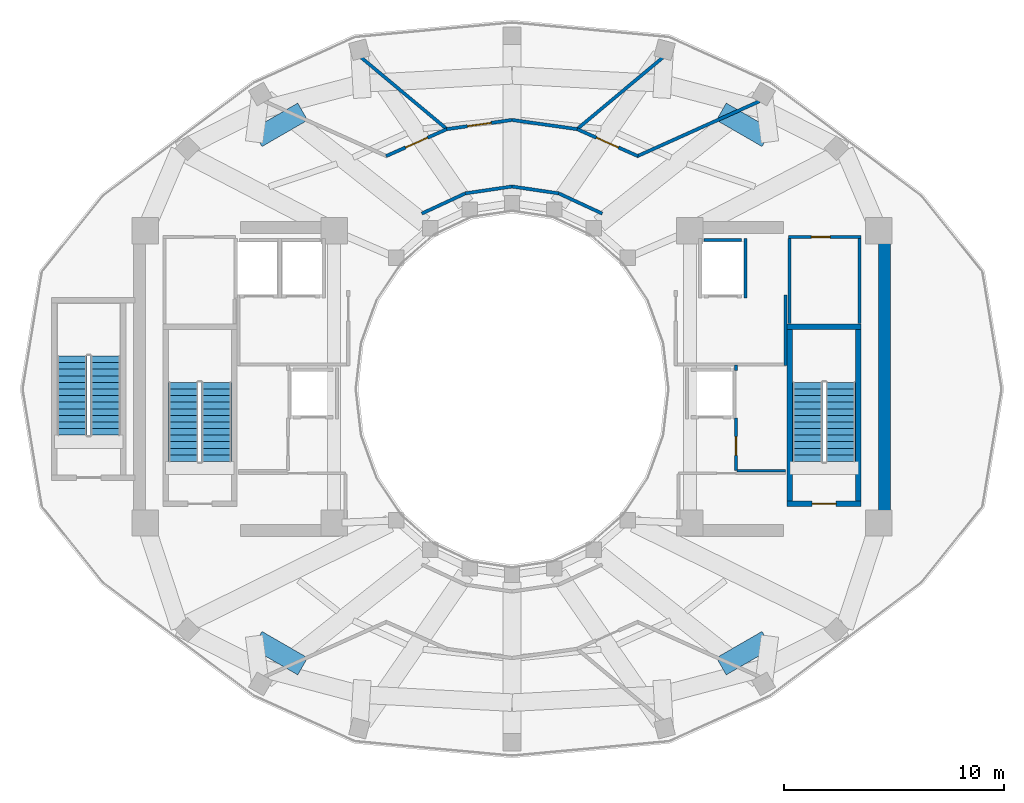
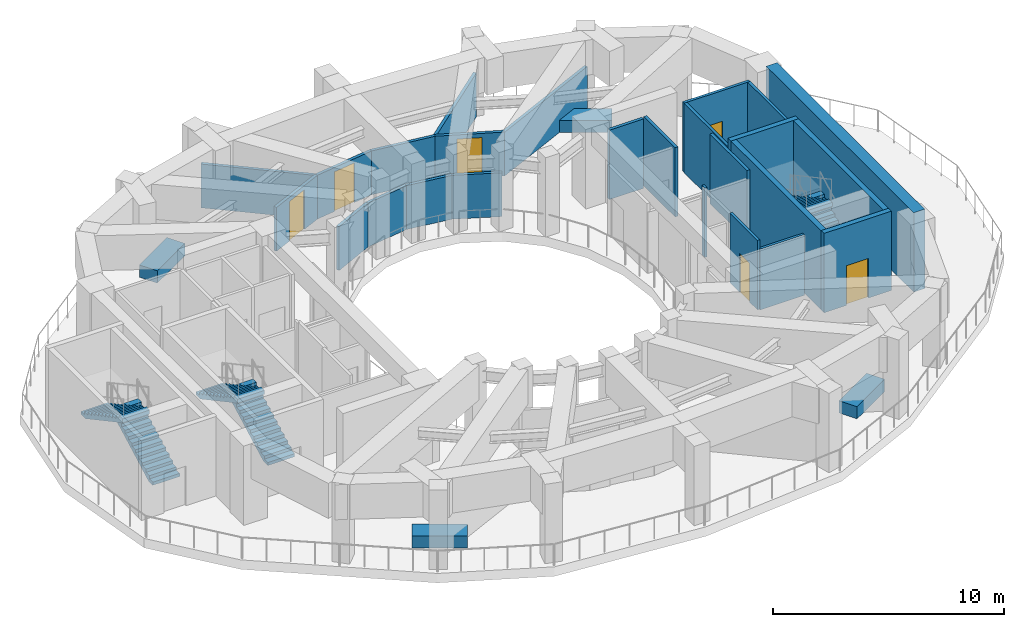
# One storey, part 4 of 9: 25 walls, 6 doors, 6 stair flights, 4 discrete accessories, 6 openings, 3 elements without a shape of their own.
"""IFC4 building model written with IfcOpenShell, lengths in metres."""

from ifc_helpers import new_model, si_unit, direction, frame, frame_2d, origin, origin_2d, place, context, subcontext, project, spatial, polyline, rectangle, outline, extrude, material, layer, layer_set, type_object, element, fill, aggregate, save


model = new_model("IFC4")

# Units and contexts
model_context = context("Model", 3, precision=1e-05, world=origin(), true_north=direction((0.0, 1.0)))
body_context = subcontext(model_context, "Body", "Model", "MODEL_VIEW")
ifc_project = project(units=[si_unit("LENGTHUNIT", "METRE"), si_unit("AREAUNIT", "SQUARE_METRE"), si_unit("VOLUMEUNIT", "CUBIC_METRE"), si_unit("PLANEANGLEUNIT", "RADIAN"), si_unit("MASSUNIT", "GRAM", prefix="KILO")], contexts=[model_context])

# Site, building, storey
site_placement = place(None, origin())
site = spatial("IfcSite", under=ifc_project, at=site_placement, CompositionType="ELEMENT")
building_placement = place(site_placement, origin())
building = spatial("IfcBuilding", under=site, at=building_placement, Name="Solvane Sanctuary Tower", CompositionType="ELEMENT")
storey_placement = place(building_placement, frame((0.0, 0.0, 197.39990234375)))
storey = spatial("IfcBuildingStorey", under=building, at=storey_placement, Name="L60", CompositionType="ELEMENT", Elevation=197.39990234375)

# Walls
ifc_material_1 = material(Name="Concrete C50/60", Category="concrete")
ifc_layer_1 = layer(ifc_material_1, 0.550048828125, Name="Concrete C50/60")
ifc_layer_set_1 = layer_set([ifc_layer_1], Name="Concrete C50/60")
wall_type_1 = type_object("IfcWallType", Name="Wall W-CORE-550", PredefinedType="SHEAR", material=ifc_layer_set_1)
wall_1_placement = place(storey_placement, frame((48.949951171875, 17.050048828125, 0.0), z_axis=(0.0, 0.0, 1.0), x_axis=(0.0, 1.0, 0.0)))
element("IfcWall", 1, at=wall_1_placement, inside=storey, type_object=wall_type_1, Name="L60 Core Shear Wall EC-E", PredefinedType="SHEAR", context=body_context, shape_type="SweptSolid", body=[
    extrude(rectangle(XDim=12.800048828125, YDim=0.550048828125, at=frame_2d((6.39990234375, 0.0))), origin(), (0.0, 0.0, 1.0), 4.2001953125),
])
ifc_material_2 = material(Name="Acoustic Gypsum Partition Board")
ifc_layer_2 = layer(ifc_material_2, 0.14990234375, Name="Acoustic Gypsum Partition Board")
ifc_layer_set_2 = layer_set([ifc_layer_2], Name="Acoustic Gypsum Partition Board")
wall_type_2 = type_object("IfcWallType", Name="Wall W-CORR-150", PredefinedType="PARTITIONING", material=ifc_layer_set_2)
wall_2_placement = place(storey_placement, frame((44.449951171875, 24.080078125, 0.0), z_axis=(0.0, 0.0, 1.0), x_axis=(0.0, 1.0, 0.0)))
element("IfcWall", 2, at=wall_2_placement, inside=storey, type_object=wall_type_2, Name="L60 East Firefighting Lobby East Wall", PredefinedType="PARTITIONING", context=body_context, shape_type="SweptSolid", body=[
    extrude(rectangle(XDim=3.199951171875, YDim=0.14990234375, at=frame_2d((1.60009765625, 0.0))), origin(), (0.0, 0.0, 1.0), 3.675048828125),
])
wall_3_placement = place(storey_placement, frame((36.110107421875, 30.98486328125, 0.0), z_axis=(0.0, 0.0, 1.0), x_axis=(-0.906943449489, 0.421252393975, 0.0)))
element("IfcWall", 3, at=wall_3_placement, inside=storey, type_object=wall_type_2, Name="L60 Light-Well Corridor Rim Wall N1", PredefinedType="PARTITIONING", context=body_context, shape_type="SweptSolid", body=[
    extrude(rectangle(XDim=2.18603515625, YDim=0.14990234375, at=frame_2d((1.093017578125, 0.0))), origin(), (0.0, 0.0, 1.0), 2.320068359375),
])
for number, where, z_axis, x_axis, name in (
    (4, (34.12744140625, 31.90576171875, 0.0), (0.0, 0.0, 1.0), (-0.989268584896, 0.146108408166, 0.0), "L60 Light-Well Corridor Rim Wall N2"),
    (5, (32.0, 32.219970703125, 0.0), (0.0, 0.0, 1.0), (-0.989268584896, -0.146108408166, 0.0), "L60 Light-Well Corridor Rim Wall N3"),
):
    element("IfcWall", number, at=place(storey_placement, frame(where, z_axis=z_axis, x_axis=x_axis)), inside=storey, type_object=wall_type_2, Name=name, PredefinedType="PARTITIONING", context=body_context, shape_type="SweptSolid", body=[
        extrude(rectangle(XDim=2.150634765625, YDim=0.14990234375, at=frame_2d((1.0751953125, 0.0))), origin(), (0.0, 0.0, 1.0), 2.320068359375),
    ])
wall_4_placement = place(storey_placement, frame((29.87255859375, 31.90576171875, 0.0), z_axis=(0.0, 0.0, 1.0), x_axis=(-0.906943449489, -0.421252393975, 0.0)))
element("IfcWall", 6, at=wall_4_placement, inside=storey, type_object=wall_type_2, Name="L60 Light-Well Corridor Rim Wall N4", PredefinedType="PARTITIONING", context=body_context, shape_type="SweptSolid", body=[
    extrude(rectangle(XDim=2.18603515625, YDim=0.14990234375, at=frame_2d((1.093017578125, 0.0))), origin(), (0.0, 0.0, 1.0), 2.320068359375),
])
wall_5_placement = place(storey_placement, frame((37.679443359375, 33.58837890625, 0.0), z_axis=(0.0, 0.0, 1.0), x_axis=(0.912031098102, 0.410121050538, 0.0)))
element("IfcWall", 7, at=wall_5_placement, inside=storey, type_object=wall_type_2, Name="L60 Refuge Area Radial Screen 060", PredefinedType="PARTITIONING", context=body_context, shape_type="SweptSolid", body=[
    extrude(rectangle(XDim=6.12548828125, YDim=0.14990234375, at=frame_2d((3.062744140625, 0.0))), origin(), (0.0, 0.0, 1.0), 2.320068359375),
])
wall_6_placement = place(storey_placement, frame((34.925048828125, 34.800537109375, 0.0), z_axis=(0.0, 0.0, 1.0), x_axis=(0.767598896653, 0.640930521865, 0.0)))
element("IfcWall", 8, at=wall_6_placement, inside=storey, type_object=wall_type_2, Name="L60 Refuge Area Radial Screen 075", PredefinedType="PARTITIONING", context=body_context, shape_type="SweptSolid", body=[
    extrude(rectangle(XDim=5.115234375, YDim=0.14990234375, at=frame_2d((2.5576171875, 0.0))), origin(), (0.0, 0.0, 1.0), 2.320068359375),
])

# Wall, opening, door
wall_7_placement = place(storey_placement, frame((37.73193359375, 33.6044921875, 0.0), z_axis=(0.0, 0.0, 1.0), x_axis=(-0.914251978061, 0.405146048496, 0.0)))
wall_7 = element("IfcWall", 9, at=wall_7_placement, inside=storey, type_object=wall_type_2, Name="L60 Refuge Lobby Wall 1", PredefinedType="PARTITIONING", context=body_context, shape_type="SweptSolid", body=[
    extrude(rectangle(XDim=3.036376953125, YDim=0.14990234375, at=frame_2d((1.51806640625, 0.0))), origin(), (0.0, 0.0, 1.0), 2.320068359375),
])
opening_1_placement = place(wall_7_placement, frame((0.96826171875, 0.0, 0.0)))
opening_1 = element("IfcOpeningElement", 10, at=opening_1_placement, cuts=wall_7, Name="Opening D-L60-10", PredefinedType="OPENING", context=body_context, shape_type="SweptSolid", body=[
    extrude(rectangle(XDim=1.10009765625, YDim=2.10009765625, at=frame_2d((0.550048828125, 1.050048828125))), frame((0.0, 0.0849609375, 0.0), z_axis=(0.0, -1.0, 0.0), x_axis=(1.0, 0.0, 0.0)), (0.0, 0.0, 1.0), 0.169921875),
])
ifc_material_3 = material(Name="Architectural Stainless Steel 316", Category="steel")
door_type_1 = type_object("IfcDoorType", Name="Door D-FFL", OperationType="NOTDEFINED", PredefinedType="DOOR", material=ifc_material_3)
door_1_placement = place(opening_1_placement, origin())
door_1 = element("IfcDoor", 11, at=door_1_placement, inside=storey, type_object=door_type_1, Name="L60 East Sky Refuge Area Door", OperationType="SINGLE_SWING_LEFT", OverallHeight=2.10009765625, OverallWidth=1.10009765625, PredefinedType="DOOR", context=body_context, shape_type="SweptSolid", body=[
    extrude(rectangle(XDim=1.10009765625, YDim=2.10009765625, at=frame_2d((0.550048828125, 1.050048828125))), frame((0.0, 0.02490234375, 0.0), z_axis=(0.0, -1.0, 0.0), x_axis=(1.0, 0.0, 0.0)), (0.0, 0.0, 1.0), 0.050048828125),
])
fill(opening_1, door_1)

# Walls
wall_8_placement = place(storey_placement, frame((29.074951171875, 34.800537109375, 0.0), z_axis=(0.0, 0.0, 1.0), x_axis=(-0.767598896653, 0.640930521865, 0.0)))
element("IfcWall", 12, at=wall_8_placement, inside=storey, type_object=wall_type_2, Name="L60 Refuge Area Radial Screen 105", PredefinedType="PARTITIONING", context=body_context, shape_type="SweptSolid", body=[
    extrude(rectangle(XDim=5.115234375, YDim=0.14990234375, at=frame_2d((2.5576171875, 0.0))), origin(), (0.0, 0.0, 1.0), 2.320068359375),
])
wall_9_placement = place(storey_placement, frame((34.97119140625, 34.830322265625, 0.0), z_axis=(0.0, 0.0, 1.0), x_axis=(-0.990183914421, 0.139770582106, 0.0)))
element("IfcWall", 13, at=wall_9_placement, inside=storey, type_object=wall_type_2, Name="L60 Refuge Lobby Wall 2", PredefinedType="PARTITIONING", context=body_context, shape_type="SweptSolid", body=[
    extrude(rectangle(XDim=3.002685546875, YDim=0.14990234375, at=frame_2d((1.50146484375, 0.0))), origin(), (0.0, 0.0, 1.0), 2.320068359375),
])

# Wall, opening, door
wall_10_placement = place(storey_placement, frame((32.001953125, 35.25, 0.0), z_axis=(0.0, 0.0, 1.0), x_axis=(-0.990183914421, -0.139770582106, 0.0)))
wall_10 = element("IfcWall", 14, at=wall_10_placement, inside=storey, type_object=wall_type_2, Name="L60 Refuge Lobby Wall 2", PredefinedType="PARTITIONING", context=body_context, shape_type="SweptSolid", body=[
    extrude(rectangle(XDim=3.002685546875, YDim=0.14990234375, at=frame_2d((1.50146484375, 0.0))), origin(), (0.0, 0.0, 1.0), 2.320068359375),
])
opening_2_placement = place(wall_10_placement, frame((0.951416015625, 0.0, 0.0)))
opening_2 = element("IfcOpeningElement", 15, at=opening_2_placement, cuts=wall_10, Name="Opening D-L60-11", PredefinedType="OPENING", context=body_context, shape_type="SweptSolid", body=[
    extrude(rectangle(XDim=1.10009765625, YDim=2.10009765625, at=frame_2d((0.550048828125, 1.050048828125))), frame((0.0, 0.0849609375, 0.0), z_axis=(0.0, -1.0, 0.0), x_axis=(1.0, 0.0, 0.0)), (0.0, 0.0, 1.0), 0.169921875),
])
door_2_placement = place(opening_2_placement, origin())
door_2 = element("IfcDoor", 16, at=door_2_placement, inside=storey, type_object=door_type_1, Name="L60 Central Sky Refuge Area Door", OperationType="SINGLE_SWING_RIGHT", OverallHeight=2.10009765625, OverallWidth=1.10009765625, PredefinedType="DOOR", context=body_context, shape_type="SweptSolid", body=[
    extrude(rectangle(XDim=1.10009765625, YDim=2.10009765625, at=frame_2d((0.550048828125, 1.050048828125))), frame((0.0, 0.02490234375, 0.0), z_axis=(0.0, -1.0, 0.0), x_axis=(1.0, 0.0, 0.0)), (0.0, 0.0, 1.0), 0.050048828125),
])
fill(opening_2, door_2)

wall_11_placement = place(storey_placement, frame((29.044189453125, 34.834716796875, 0.0), z_axis=(0.0, 0.0, 1.0), x_axis=(-0.914251978061, -0.405146048496, 0.0)))
wall_11 = element("IfcWall", 17, at=wall_11_placement, inside=storey, type_object=wall_type_2, Name="L60 Refuge Lobby Wall 3", PredefinedType="PARTITIONING", context=body_context, shape_type="SweptSolid", body=[
    extrude(rectangle(XDim=3.036376953125, YDim=0.14990234375, at=frame_2d((1.51806640625, 0.0))), origin(), (0.0, 0.0, 1.0), 2.320068359375),
])
opening_3_placement = place(wall_11_placement, frame((0.96826171875, 0.0, 0.0)))
opening_3 = element("IfcOpeningElement", 18, at=opening_3_placement, cuts=wall_11, Name="Opening D-L60-12", PredefinedType="OPENING", context=body_context, shape_type="SweptSolid", body=[
    extrude(rectangle(XDim=1.10009765625, YDim=2.10009765625, at=frame_2d((0.550048828125, 1.050048828125))), frame((0.0, 0.0849609375, 0.0), z_axis=(0.0, -1.0, 0.0), x_axis=(1.0, 0.0, 0.0)), (0.0, 0.0, 1.0), 0.169921875),
])
door_3_placement = place(opening_3_placement, origin())
door_3 = element("IfcDoor", 19, at=door_3_placement, inside=storey, type_object=door_type_1, Name="L60 West Sky Refuge Area Door", OperationType="SINGLE_SWING_LEFT", OverallHeight=2.10009765625, OverallWidth=1.10009765625, PredefinedType="DOOR", context=body_context, shape_type="SweptSolid", body=[
    extrude(rectangle(XDim=1.10009765625, YDim=2.10009765625, at=frame_2d((0.550048828125, 1.050048828125))), frame((0.0, 0.02490234375, 0.0), z_axis=(0.0, -1.0, 0.0), x_axis=(1.0, 0.0, 0.0)), (0.0, 0.0, 1.0), 0.050048828125),
])
fill(opening_3, door_3)

ifc_layer_3 = layer(ifc_material_2, 0.125, Name="Acoustic Gypsum Partition Board")
ifc_layer_set_3 = layer_set([ifc_layer_3], Name="Acoustic Gypsum Partition Board")
wall_type_3 = type_object("IfcWallType", Name="Wall W-PART-125", PredefinedType="PARTITIONING", material=ifc_layer_set_3)
wall_12_placement = place(storey_placement, frame((42.199951171875, 19.280029296875, 0.0), z_axis=(0.0, 0.0, 1.0), x_axis=(0.0, 1.0, 0.0)))
wall_12 = element("IfcWall", 20, at=wall_12_placement, inside=storey, type_object=wall_type_3, Name="L60 Reclaimed Room Partition PME", PredefinedType="PARTITIONING", context=body_context, shape_type="SweptSolid", body=[
    extrude(rectangle(XDim=2.39990234375, YDim=0.125, at=frame_2d((1.199951171875, 0.0))), origin(), (0.0, 0.0, 1.0), 3.675048828125),
])
opening_4_placement = place(wall_12_placement, frame((0.699951171875, 0.0, 0.0)))
opening_4 = element("IfcOpeningElement", 21, at=opening_4_placement, cuts=wall_12, Name="Opening D-L60-09", PredefinedType="OPENING", context=body_context, shape_type="SweptSolid", body=[
    extrude(rectangle(XDim=0.85009765625, YDim=2.050048828125, at=frame_2d((0.425048828125, 1.02490234375))), frame((0.0, 0.072509765625, 0.0), z_axis=(0.0, -1.0, 0.0), x_axis=(1.0, 0.0, 0.0)), (0.0, 0.0, 1.0), 0.14501953125),
])
door_type_2 = type_object("IfcDoorType", Name="Door D-RISER", OperationType="NOTDEFINED", PredefinedType="DOOR", material=ifc_material_3)
door_4_placement = place(opening_4_placement, origin())
door_4 = element("IfcDoor", 22, at=door_4_placement, inside=storey, type_object=door_type_2, Name="L60 Reclaimed Room Door PME-1", OperationType="SINGLE_SWING_RIGHT", OverallHeight=2.050048828125, OverallWidth=0.85009765625, PredefinedType="DOOR", context=body_context, shape_type="SweptSolid", body=[
    extrude(rectangle(XDim=0.85009765625, YDim=2.050048828125, at=frame_2d((0.425048828125, 1.02490234375))), frame((0.0, 0.02490234375, 0.0), z_axis=(0.0, -1.0, 0.0), x_axis=(1.0, 0.0, 0.0)), (0.0, 0.0, 1.0), 0.050048828125),
])
fill(opening_4, door_4)

# Walls
wall_13_placement = place(storey_placement, frame((42.199951171875, 23.85009765625, 0.0), z_axis=(0.0, 0.0, 1.0), x_axis=(0.0, 1.0, 0.0)))
element("IfcWall", 23, at=wall_13_placement, inside=storey, type_object=wall_type_3, Name="L60 Reclaimed Room Dividing Wall PME", PredefinedType="PARTITIONING", context=body_context, shape_type="SweptSolid", body=[
    extrude(rectangle(XDim=0.25, YDim=0.125, at=frame_2d((0.125, 0.0))), origin(), (0.0, 0.0, 1.0), 3.675048828125),
])
wall_14_placement = place(storey_placement, frame((42.239990234375, 19.280029296875, 0.0), z_axis=(0.0, 0.0, 1.0), x_axis=(1.0, 0.0, 0.0)))
element("IfcWall", 24, at=wall_14_placement, inside=storey, type_object=wall_type_3, Name="L60 Reclaimed Room Closer Wall PME-1", PredefinedType="PARTITIONING", context=body_context, shape_type="SweptSolid", body=[
    extrude(rectangle(XDim=2.2099609375, YDim=0.125, at=frame_2d((1.10498046875, 0.0))), origin(), (0.0, 0.0, 1.0), 3.22021484375),
])
ifc_layer_4 = layer(ifc_material_1, 0.14990234375, Name="Concrete C50/60")
ifc_layer_set_4 = layer_set([ifc_layer_4], Name="Concrete C50/60")
wall_type_4 = type_object("IfcWallType", Name="Wall W-SHAFT-150", PredefinedType="SOLIDWALL", material=ifc_layer_set_4)
wall_15_placement = place(storey_placement, frame((40.739990234375, 29.780029296875, 0.0), z_axis=(0.0, 0.0, 1.0), x_axis=(1.0, 0.0, 0.0)))
element("IfcWall", 25, at=wall_15_placement, inside=storey, type_object=wall_type_4, Name="L60 FFL-2 Lift Shaft Wall B", PredefinedType="SOLIDWALL", context=body_context, shape_type="SweptSolid", body=[
    extrude(rectangle(XDim=1.719970703125, YDim=0.14990234375, at=frame_2d((0.85986328125, 0.0))), origin(), (0.0, 0.0, 1.0), 3.675048828125),
])
wall_16_placement = place(storey_placement, frame((42.6298828125, 27.139892578125, 0.0), z_axis=(0.0, 0.0, 1.0), x_axis=(0.0, 1.0, 0.0)))
element("IfcWall", 26, at=wall_16_placement, inside=storey, type_object=wall_type_4, Name="L60 FFL-2 Lift Shaft Wall S2", PredefinedType="SOLIDWALL", context=body_context, shape_type="SweptSolid", body=[
    extrude(rectangle(XDim=2.72021484375, YDim=0.14990234375, at=frame_2d((1.360107421875, 0.0))), origin(), (0.0, 0.0, 1.0), 3.675048828125),
])

# Wall, opening, door
ifc_layer_5 = layer(ifc_material_1, 0.25, Name="Concrete C50/60")
ifc_layer_set_5 = layer_set([ifc_layer_5], Name="Concrete C50/60")
wall_type_5 = type_object("IfcWallType", Name="Wall W-SHAFT-250", PredefinedType="SOLIDWALL", material=ifc_layer_set_5)
wall_17_placement = place(storey_placement, frame((44.52490234375, 17.77001953125, 0.0), z_axis=(0.0, 0.0, 1.0), x_axis=(1.0, 0.0, 0.0)))
wall_17 = element("IfcWall", 27, at=wall_17_placement, inside=storey, type_object=wall_type_5, Name="L60 ST-2 Load-Bearing Shaft Wall S", PredefinedType="SOLIDWALL", context=body_context, shape_type="SweptSolid", body=[
    extrude(rectangle(XDim=3.3701171875, YDim=0.25, at=frame_2d((1.68505859375, 0.0))), origin(), (0.0, 0.0, 1.0), 4.2001953125),
])
opening_5_placement = place(wall_17_placement, frame((1.135009765625, 0.0, 0.0)))
opening_5 = element("IfcOpeningElement", 28, at=opening_5_placement, cuts=wall_17, Name="Opening D-L60-02", PredefinedType="OPENING", context=body_context, shape_type="SweptSolid", body=[
    extrude(rectangle(XDim=1.10009765625, YDim=2.10009765625, at=frame_2d((0.550048828125, 1.050048828125))), frame((0.0, 0.135009765625, 0.0), z_axis=(0.0, -1.0, 0.0), x_axis=(1.0, 0.0, 0.0)), (0.0, 0.0, 1.0), 0.27001953125),
])
door_type_3 = type_object("IfcDoorType", Name="Door D-STAIR", OperationType="NOTDEFINED", PredefinedType="DOOR", material=ifc_material_3)
door_5_placement = place(opening_5_placement, origin())
door_5 = element("IfcDoor", 29, at=door_5_placement, inside=storey, type_object=door_type_3, Name="L60 ST-2 Exit Stair Fire Door", OperationType="SINGLE_SWING_LEFT", OverallHeight=2.10009765625, OverallWidth=1.10009765625, PredefinedType="DOOR", context=body_context, shape_type="SweptSolid", body=[
    extrude(rectangle(XDim=1.10009765625, YDim=2.10009765625, at=frame_2d((0.550048828125, 1.050048828125))), frame((0.0, 0.02490234375, 0.0), z_axis=(0.0, -1.0, 0.0), x_axis=(1.0, 0.0, 0.0)), (0.0, 0.0, 1.0), 0.050048828125),
])
fill(opening_5, door_5)

# Walls
wall_18_placement = place(storey_placement, frame((44.52490234375, 25.830078125, 0.0), z_axis=(0.0, 0.0, 1.0), x_axis=(1.0, 0.0, 0.0)))
element("IfcWall", 30, at=wall_18_placement, inside=storey, type_object=wall_type_5, Name="L60 ST-2 Load-Bearing Shaft Wall N", PredefinedType="SOLIDWALL", context=body_context, shape_type="SweptSolid", body=[
    extrude(rectangle(XDim=3.3701171875, YDim=0.25, at=frame_2d((1.68505859375, 0.0))), origin(), (0.0, 0.0, 1.0), 4.2001953125),
])
for number, where, z_axis, x_axis, name in (
    (31, (44.64990234375, 17.89501953125, 0.0), (0.0, 0.0, 1.0), (0.0, 1.0, 0.0), "L60 ST-2 Load-Bearing Shaft Wall W"),
    (32, (47.77001953125, 17.89501953125, 0.0), (0.0, 0.0, 1.0), (0.0, 1.0, 0.0), "L60 ST-2 Load-Bearing Shaft Wall E"),
):
    element("IfcWall", number, at=place(storey_placement, frame(where, z_axis=z_axis, x_axis=x_axis)), inside=storey, type_object=wall_type_5, Name=name, PredefinedType="SOLIDWALL", context=body_context, shape_type="SweptSolid", body=[
        extrude(rectangle(XDim=7.81005859375, YDim=0.25, at=frame_2d((3.905029296875, 0.0))), origin(), (0.0, 0.0, 1.0), 4.2001953125),
    ])

# Wall, opening, door
ifc_layer_6 = layer(ifc_material_2, 0.139892578125, Name="Acoustic Gypsum Partition Board")
ifc_layer_set_6 = layer_set([ifc_layer_6], Name="Acoustic Gypsum Partition Board")
wall_type_6 = type_object("IfcWallType", Name="Wall W-WET-140", PredefinedType="PLUMBINGWALL", material=ifc_layer_set_6)
wall_19_placement = place(storey_placement, frame((44.580078125, 29.919921875, 0.0), z_axis=(0.0, 0.0, 1.0), x_axis=(1.0, 0.0, 0.0)))
wall_19 = element("IfcWall", 33, at=wall_19_placement, inside=storey, type_object=wall_type_6, Name="L60 Refuge Store Front Wall", PredefinedType="PLUMBINGWALL", context=body_context, shape_type="SweptSolid", body=[
    extrude(rectangle(XDim=3.2998046875, YDim=0.139892578125, at=frame_2d((1.64990234375, 0.0))), origin(), (0.0, 0.0, 1.0), 3.675048828125),
])
opening_6_placement = place(wall_19_placement, frame((1.050537109375, 0.0, 0.0)))
opening_6 = element("IfcOpeningElement", 34, at=opening_6_placement, cuts=wall_19, Name="Opening D-L60-16", PredefinedType="OPENING", context=body_context, shape_type="SweptSolid", body=[
    extrude(rectangle(XDim=0.85009765625, YDim=2.050048828125, at=frame_2d((0.425048828125, 1.02490234375))), frame((0.0, 0.079833984375, 0.0), z_axis=(0.0, -1.0, 0.0), x_axis=(1.0, 0.0, 0.0)), (0.0, 0.0, 1.0), 0.159912109375),
])
door_6_placement = place(opening_6_placement, origin())
door_6 = element("IfcDoor", 35, at=door_6_placement, inside=storey, type_object=door_type_2, Name="L60 Refuge First Aid Door", OperationType="SINGLE_SWING_LEFT", OverallHeight=2.050048828125, OverallWidth=0.85009765625, PredefinedType="DOOR", context=body_context, shape_type="SweptSolid", body=[
    extrude(rectangle(XDim=0.85009765625, YDim=2.050048828125, at=frame_2d((0.425048828125, 1.02490234375))), frame((0.0, 0.02490234375, 0.0), z_axis=(0.0, -1.0, 0.0), x_axis=(1.0, 0.0, 0.0)), (0.0, 0.0, 1.0), 0.050048828125),
])
fill(opening_6, door_6)

# Walls
for number, where, z_axis, x_axis, name in (
    (36, (44.639892578125, 25.97998046875, 0.0), (0.0, 0.0, 1.0), (0.0, 1.0, 0.0), "L60 Refuge Store West Wall"),
    (37, (47.820068359375, 25.97998046875, 0.0), (0.0, 0.0, 1.0), (0.0, 1.0, 0.0), "L60 Refuge Store East Wall"),
):
    element("IfcWall", number, at=place(storey_placement, frame(where, z_axis=z_axis, x_axis=x_axis)), inside=storey, type_object=wall_type_6, Name=name, PredefinedType="PLUMBINGWALL", context=body_context, shape_type="SweptSolid", body=[
        extrude(rectangle(XDim=3.880126953125, YDim=0.139892578125, at=frame_2d((1.93994140625, 0.0))), origin(), (0.0, 0.0, 1.0), 3.675048828125),
    ])

# Stair, stair flights
ifc_material_4 = material(Name="Concrete C45/55", Category="concrete")
stair_type = type_object("IfcStairType", Name="Stair ST-TOW", PredefinedType="HALF_TURN_STAIR", material=ifc_material_4)
stair_1_placement = place(storey_placement, origin())
stair_1 = element("IfcStair", 38, at=stair_1_placement, inside=storey, type_object=stair_type, Name="L60 Exit Stair ST-1 West Core", PredefinedType="HALF_TURN_STAIR")
stair_flight_type = type_object("IfcStairFlightType", Name="StairFlight SF-TOW", PredefinedType="STRAIGHT", material=ifc_material_4)
stair_flight_1_placement = place(storey_placement, frame((18.544921875, 19.699951171875, 0.0), z_axis=(0.0, 0.0, 1.0), x_axis=(0.0, 1.0, 0.0)))
stair_flight_1 = element("IfcStairFlight", 39, at=stair_flight_1_placement, type_object=stair_flight_type, Name="ST-1 flight 1", NumberOfRisers=13, NumberOfTreads=12, PredefinedType="STRAIGHT", RiserHeight=0.161538462, TreadLength=0.3, context=body_context, shape_type="SweptSolid", body=[
    extrude(outline(polyline([(0.0, 0.0), (0.0, 0.16162109375), (0.300048828125, 0.16162109375), (0.300048828125, 0.322998046875), (0.60009765625, 0.322998046875), (0.60009765625, 0.484619140625), (0.89990234375, 0.484619140625), (0.89990234375, 0.646240234375), (1.199951171875, 0.646240234375), (1.199951171875, 0.8076171875), (1.5, 0.8076171875), (1.5, 0.96923828125), (1.800048828125, 0.96923828125), (1.800048828125, 1.130859375), (2.10009765625, 1.130859375), (2.10009765625, 1.292236328125), (2.39990234375, 1.292236328125), (2.39990234375, 1.453857421875), (2.699951171875, 1.453857421875), (2.699951171875, 1.615478515625), (3.0, 1.615478515625), (3.0, 1.77685546875), (3.300048828125, 1.77685546875), (3.300048828125, 1.9384765625), (3.60009765625, 1.9384765625), (3.60009765625, 2.10009765625), (3.60009765625, 1.734130859375), (0.379638671875, 0.0), (0.0, 0.0)])), frame((0.0, 0.675048828125, 0.0), z_axis=(0.0, -1.0, 0.0), x_axis=(1.0, 0.0, 0.0)), (0.0, 0.0, 1.0), 1.35009765625),
])
stair_flight_2_placement = place(storey_placement, frame((17.034912109375, 23.300048828125, 2.10009765625), z_axis=(0.0, 0.0, 1.0), x_axis=(0.0, -1.0, 0.0)))
stair_flight_2 = element("IfcStairFlight", 40, at=stair_flight_2_placement, type_object=stair_flight_type, Name="ST-1 flight 2", NumberOfRisers=13, NumberOfTreads=12, PredefinedType="STRAIGHT", RiserHeight=0.161538462, TreadLength=0.3, context=body_context, shape_type="SweptSolid", body=[
    extrude(outline(polyline([(0.0, 0.0), (0.0, 0.16162109375), (0.300048828125, 0.16162109375), (0.300048828125, 0.322998046875), (0.60009765625, 0.322998046875), (0.60009765625, 0.484619140625), (0.89990234375, 0.484619140625), (0.89990234375, 0.646240234375), (1.199951171875, 0.646240234375), (1.199951171875, 0.8076171875), (1.5, 0.8076171875), (1.5, 0.96923828125), (1.800048828125, 0.96923828125), (1.800048828125, 1.130859375), (2.10009765625, 1.130859375), (2.10009765625, 1.292236328125), (2.39990234375, 1.292236328125), (2.39990234375, 1.453857421875), (2.699951171875, 1.453857421875), (2.699951171875, 1.615478515625), (3.0, 1.615478515625), (3.0, 1.77685546875), (3.300048828125, 1.77685546875), (3.300048828125, 1.9384765625), (3.60009765625, 1.9384765625), (3.60009765625, 2.10009765625), (3.60009765625, 1.734130859375), (0.379638671875, 0.0), (0.0, 0.0)])), frame((0.0, 0.675048828125, 0.0), z_axis=(0.0, -1.0, 0.0), x_axis=(1.0, 0.0, 0.0)), (0.0, 0.0, 1.0), 1.35009765625),
])
aggregate(stair_1, [stair_flight_1, stair_flight_2])

stair_2_placement = place(storey_placement, origin())
stair_2 = element("IfcStair", 41, at=stair_2_placement, inside=storey, type_object=stair_type, Name="L60 Exit Stair ST-2 East Core", PredefinedType="HALF_TURN_STAIR")
stair_flight_3_placement = place(storey_placement, frame((46.965087890625, 19.699951171875, 0.0), z_axis=(0.0, 0.0, 1.0), x_axis=(0.0, 1.0, 0.0)))
stair_flight_3 = element("IfcStairFlight", 42, at=stair_flight_3_placement, type_object=stair_flight_type, Name="ST-2 flight 1", NumberOfRisers=13, NumberOfTreads=12, PredefinedType="STRAIGHT", RiserHeight=0.161538462, TreadLength=0.3, context=body_context, shape_type="SweptSolid", body=[
    extrude(outline(polyline([(0.0, 0.0), (0.0, 0.16162109375), (0.300048828125, 0.16162109375), (0.300048828125, 0.322998046875), (0.60009765625, 0.322998046875), (0.60009765625, 0.484619140625), (0.89990234375, 0.484619140625), (0.89990234375, 0.646240234375), (1.199951171875, 0.646240234375), (1.199951171875, 0.8076171875), (1.5, 0.8076171875), (1.5, 0.96923828125), (1.800048828125, 0.96923828125), (1.800048828125, 1.130859375), (2.10009765625, 1.130859375), (2.10009765625, 1.292236328125), (2.39990234375, 1.292236328125), (2.39990234375, 1.453857421875), (2.699951171875, 1.453857421875), (2.699951171875, 1.615478515625), (3.0, 1.615478515625), (3.0, 1.77685546875), (3.300048828125, 1.77685546875), (3.300048828125, 1.9384765625), (3.60009765625, 1.9384765625), (3.60009765625, 2.10009765625), (3.60009765625, 1.734130859375), (0.379638671875, 0.0), (0.0, 0.0)])), frame((0.0, 0.675048828125, 0.0), z_axis=(0.0, -1.0, 0.0), x_axis=(1.0, 0.0, 0.0)), (0.0, 0.0, 1.0), 1.35009765625),
])
stair_flight_4_placement = place(storey_placement, frame((45.455078125, 23.300048828125, 2.10009765625), z_axis=(0.0, 0.0, 1.0), x_axis=(0.0, -1.0, 0.0)))
stair_flight_4 = element("IfcStairFlight", 43, at=stair_flight_4_placement, type_object=stair_flight_type, Name="ST-2 flight 2", NumberOfRisers=13, NumberOfTreads=12, PredefinedType="STRAIGHT", RiserHeight=0.161538462, TreadLength=0.3, context=body_context, shape_type="SweptSolid", body=[
    extrude(outline(polyline([(0.0, 0.0), (0.0, 0.16162109375), (0.300048828125, 0.16162109375), (0.300048828125, 0.322998046875), (0.60009765625, 0.322998046875), (0.60009765625, 0.484619140625), (0.89990234375, 0.484619140625), (0.89990234375, 0.646240234375), (1.199951171875, 0.646240234375), (1.199951171875, 0.8076171875), (1.5, 0.8076171875), (1.5, 0.96923828125), (1.800048828125, 0.96923828125), (1.800048828125, 1.130859375), (2.10009765625, 1.130859375), (2.10009765625, 1.292236328125), (2.39990234375, 1.292236328125), (2.39990234375, 1.453857421875), (2.699951171875, 1.453857421875), (2.699951171875, 1.615478515625), (3.0, 1.615478515625), (3.0, 1.77685546875), (3.300048828125, 1.77685546875), (3.300048828125, 1.9384765625), (3.60009765625, 1.9384765625), (3.60009765625, 2.10009765625), (3.60009765625, 1.734130859375), (0.379638671875, 0.0), (0.0, 0.0)])), frame((0.0, 0.675048828125, 0.0), z_axis=(0.0, -1.0, 0.0), x_axis=(1.0, 0.0, 0.0)), (0.0, 0.0, 1.0), 1.35009765625),
])
aggregate(stair_2, [stair_flight_3, stair_flight_4])

stair_3_placement = place(storey_placement, origin())
stair_3 = element("IfcStair", 44, at=stair_3_placement, inside=storey, type_object=stair_type, Name="L60 Exit Stair ST-3 Pilgrim Tower Stair", PredefinedType="HALF_TURN_STAIR")
stair_flight_5_placement = place(storey_placement, frame((13.485107421875, 20.89990234375, 0.0), z_axis=(0.0, 0.0, 1.0), x_axis=(0.0, 1.0, 0.0)))
stair_flight_5 = element("IfcStairFlight", 45, at=stair_flight_5_placement, type_object=stair_flight_type, Name="ST-3 flight 1", NumberOfRisers=13, NumberOfTreads=12, PredefinedType="STRAIGHT", RiserHeight=0.161538462, TreadLength=0.3, context=body_context, shape_type="SweptSolid", body=[
    extrude(outline(polyline([(0.0, 0.0), (0.0, 0.16162109375), (0.300048828125, 0.16162109375), (0.300048828125, 0.322998046875), (0.60009765625, 0.322998046875), (0.60009765625, 0.484619140625), (0.89990234375, 0.484619140625), (0.89990234375, 0.646240234375), (1.199951171875, 0.646240234375), (1.199951171875, 0.8076171875), (1.5, 0.8076171875), (1.5, 0.96923828125), (1.800048828125, 0.96923828125), (1.800048828125, 1.130859375), (2.10009765625, 1.130859375), (2.10009765625, 1.292236328125), (2.39990234375, 1.292236328125), (2.39990234375, 1.453857421875), (2.699951171875, 1.453857421875), (2.699951171875, 1.615478515625), (3.0, 1.615478515625), (3.0, 1.77685546875), (3.300048828125, 1.77685546875), (3.300048828125, 1.9384765625), (3.60009765625, 1.9384765625), (3.60009765625, 2.10009765625), (3.60009765625, 1.734130859375), (0.379638671875, 0.0), (0.0, 0.0)])), frame((0.0, 0.675048828125, 0.0), z_axis=(0.0, -1.0, 0.0), x_axis=(1.0, 0.0, 0.0)), (0.0, 0.0, 1.0), 1.35009765625),
])
stair_flight_6_placement = place(storey_placement, frame((11.97509765625, 24.5, 2.10009765625), z_axis=(0.0, 0.0, 1.0), x_axis=(0.0, -1.0, 0.0)))
stair_flight_6 = element("IfcStairFlight", 46, at=stair_flight_6_placement, type_object=stair_flight_type, Name="ST-3 flight 2", NumberOfRisers=13, NumberOfTreads=12, PredefinedType="STRAIGHT", RiserHeight=0.161538462, TreadLength=0.3, context=body_context, shape_type="SweptSolid", body=[
    extrude(outline(polyline([(0.0, 0.0), (0.0, 0.16162109375), (0.300048828125, 0.16162109375), (0.300048828125, 0.322998046875), (0.60009765625, 0.322998046875), (0.60009765625, 0.484619140625), (0.89990234375, 0.484619140625), (0.89990234375, 0.646240234375), (1.199951171875, 0.646240234375), (1.199951171875, 0.8076171875), (1.5, 0.8076171875), (1.5, 0.96923828125), (1.800048828125, 0.96923828125), (1.800048828125, 1.130859375), (2.10009765625, 1.130859375), (2.10009765625, 1.292236328125), (2.39990234375, 1.292236328125), (2.39990234375, 1.453857421875), (2.699951171875, 1.453857421875), (2.699951171875, 1.615478515625), (3.0, 1.615478515625), (3.0, 1.77685546875), (3.300048828125, 1.77685546875), (3.300048828125, 1.9384765625), (3.60009765625, 1.9384765625), (3.60009765625, 2.10009765625), (3.60009765625, 1.734130859375), (0.379638671875, 0.0), (0.0, 0.0)])), frame((0.0, 0.675048828125, 0.0), z_axis=(0.0, -1.0, 0.0), x_axis=(1.0, 0.0, 0.0)), (0.0, 0.0, 1.0), 1.35009765625),
])
aggregate(stair_3, [stair_flight_5, stair_flight_6])

# Discrete accessories
ifc_material_5 = material(Name="Precast concrete C40/50", Category="concrete")
ifc_layer_7 = layer(ifc_material_5, 0.64990234375, Name="Precast concrete C40/50")
ifc_layer_set_7 = layer_set([ifc_layer_7], Name="Precast concrete C40/50")
discrete_accessory_type = type_object("IfcDiscreteAccessoryType", Name="Accessory PLN-TERRACE", PredefinedType="USERDEFINED", material=ifc_layer_set_7)
for number, where, z_axis, x_axis, name in (
    (47, (42.568603515625, 35.026611328125, 0.000244140625), (0.0, 0.0, 1.0), (-0.866025403784, 0.5, 0.0), "L60 Tropical Refuge Sky Planter 1"),
    (48, (21.431396484375, 35.026611328125, 0.000244140625), (0.0, 0.0, 1.0), (-0.866025403784, -0.5, 0.0), "L60 Tropical Refuge Sky Planter 2"),
    (49, (21.431396484375, 10.973388671875, 0.000244140625), (0.0, 0.0, 1.0), (0.866025403784, -0.5, 0.0), "L60 Tropical Refuge Sky Planter 3"),
    (50, (42.568603515625, 10.973388671875, 0.000244140625), (0.0, 0.0, 1.0), (0.866025403784, 0.5, 0.0), "L60 Tropical Refuge Sky Planter 4"),
):
    element("IfcDiscreteAccessory", number, at=place(storey_placement, frame(where, z_axis=z_axis, x_axis=x_axis)), inside=storey, type_object=discrete_accessory_type, Name=name, ObjectType="PLANTER", PredefinedType="USERDEFINED", context=body_context, shape_type="SweptSolid", body=[
        extrude(rectangle(XDim=2.39990234375, YDim=0.89990234375, at=origin_2d()), origin(), (0.0, 0.0, 1.0), 0.64990234375),
    ])

save(model, "model.ifc")
